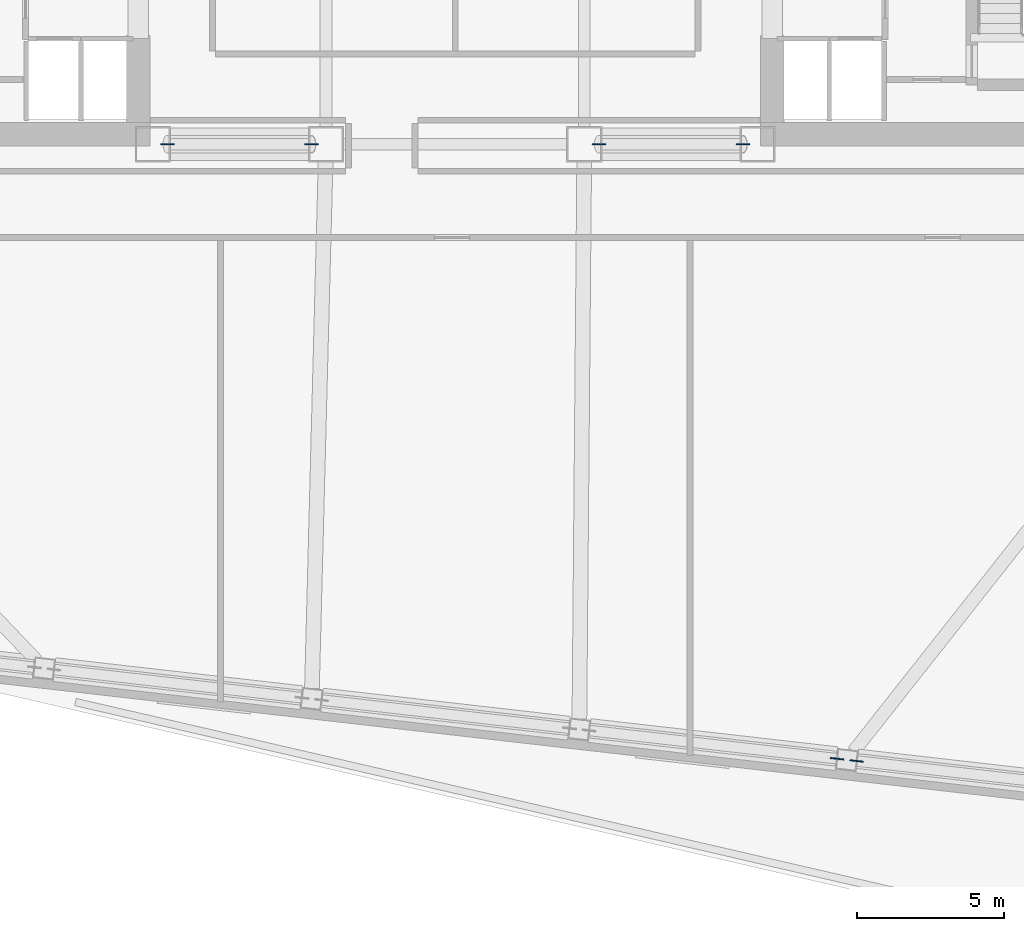
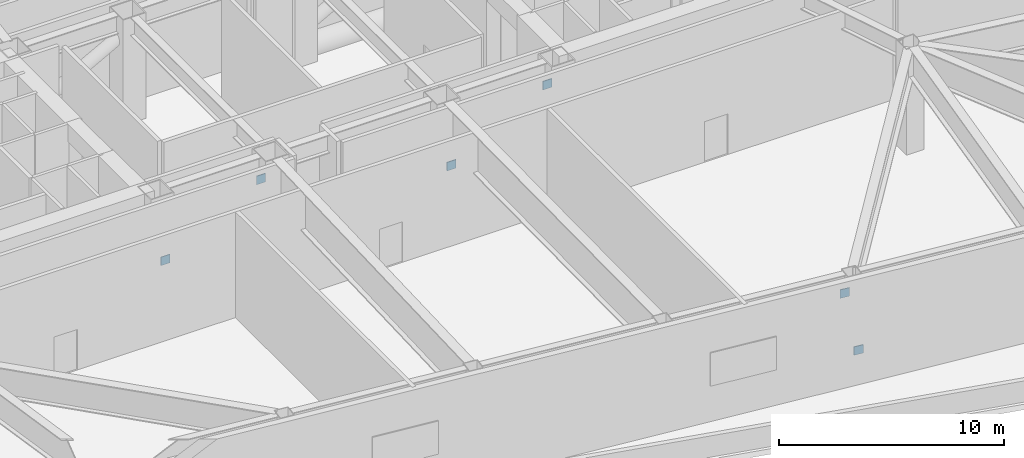
# One storey, part 9 of 14: 6 discrete accessories.
"""IFC4 building model written with IfcOpenShell, lengths in metres."""

from ifc_helpers import new_model, si_unit, direction, frame, origin, origin_2d, place, context, subcontext, project, spatial, rectangle, extrude, material, type_object, element, save


model = new_model("IFC4")

# Units and contexts
model_context = context("Model", 3, precision=1e-05, world=origin(), true_north=direction((0.0, 1.0)))
body_context = subcontext(model_context, "Body", "Model", "MODEL_VIEW")
ifc_project = project(units=[si_unit("LENGTHUNIT", "METRE"), si_unit("AREAUNIT", "SQUARE_METRE"), si_unit("VOLUMEUNIT", "CUBIC_METRE"), si_unit("PLANEANGLEUNIT", "RADIAN"), si_unit("MASSUNIT", "GRAM", prefix="KILO")], contexts=[model_context])

# Site, building, storey
site_placement = place(None, origin())
site = spatial("IfcSite", under=ifc_project, at=site_placement, CompositionType="ELEMENT")
building_placement = place(site_placement, origin())
building = spatial("IfcBuilding", under=site, at=building_placement, Name="Tavrogorsk Clinical Tower", CompositionType="ELEMENT")
storey_placement = place(building_placement, frame((0.0, 0.0, 83.39990234375)))
storey = spatial("IfcBuildingStorey", under=building, at=storey_placement, Name="L18", CompositionType="ELEMENT", Elevation=83.39990234375)

# Discrete accessories
ifc_material = material(Name="Structural steel S440", Category="steel")
discrete_accessory_type = type_object("IfcDiscreteAccessoryType", Name="GussetPlateBracket_25", PredefinedType="BRACKET", material=ifc_material)
for number, where, z_axis, x_axis, name in (
    (1, (13.014892578125, -27.285400390625, 4.431396484375), (0.0, 0.0, 1.0), (0.993571855677, -0.113203213768, 0.0), "L18 Brace Gusset Plate EXOBELT-L18-05-B"),
    (2, (13.6787109375, -27.361083984375, 1.14892578125), (0.0, 0.0, 1.0), (0.993571855677, -0.113203213768, 0.0), "L18 Brace Gusset Plate EXOBELT-L18-06-A"),
    (3, (-9.80810546875, -6.35009765625, 1.517822265625), (0.0, 0.0, 1.0), (1.0, 0.0, 0.0), "L18 Brace Gusset Plate ORDG-L18-01-A"),
    (4, (-4.891845703125, -6.35009765625, 4.1923828125), (0.0, 0.0, 1.0), (1.0, 0.0, 0.0), "L18 Brace Gusset Plate ORDG-L18-01-B"),
    (5, (4.891845703125, -6.35009765625, 1.517822265625), (0.0, 0.0, 1.0), (1.0, 0.0, 0.0), "L18 Brace Gusset Plate ORDG-L18-03-A"),
    (6, (9.80810546875, -6.35009765625, 4.1923828125), (0.0, 0.0, 1.0), (1.0, 0.0, 0.0), "L18 Brace Gusset Plate ORDG-L18-03-B"),
):
    element("IfcDiscreteAccessory", number, at=place(storey_placement, frame(where, z_axis=z_axis, x_axis=x_axis)), inside=storey, type_object=discrete_accessory_type, Name=name, PredefinedType="BRACKET", context=body_context, shape_type="SweptSolid", body=[
        extrude(rectangle(XDim=0.4599609375, YDim=0.0400390625, at=origin_2d()), origin(), (0.0, 0.0, 1.0), 0.4599609375),
    ])

save(model, "model.ifc")
